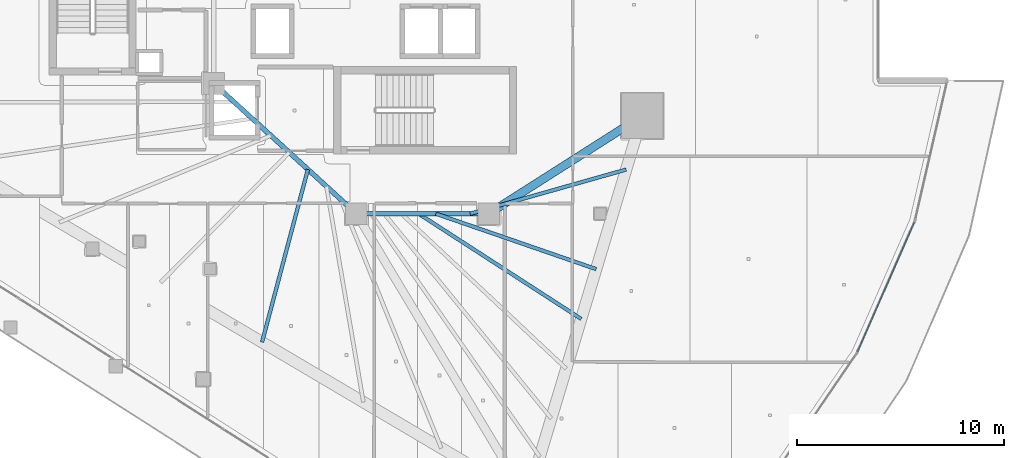
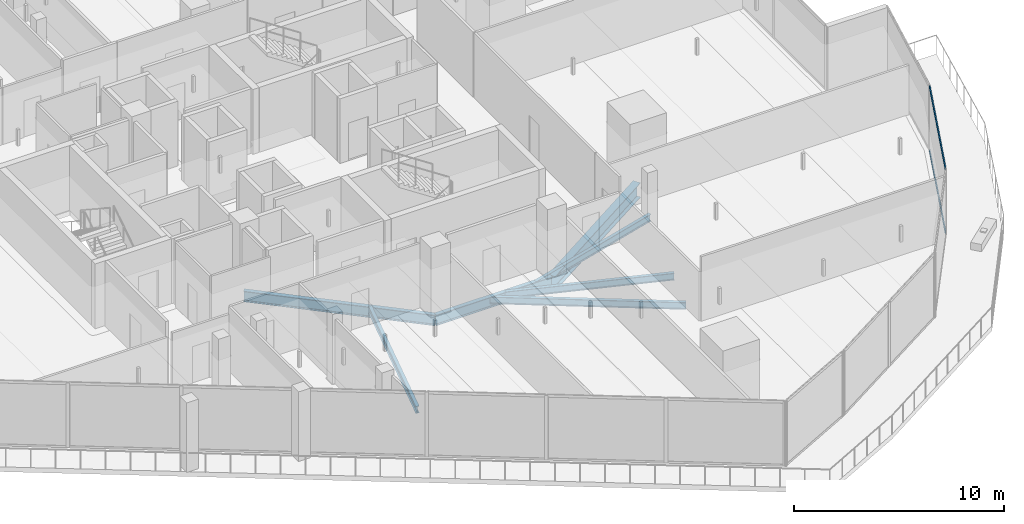
# One storey, part 11 of 44: 7 beams, 2 members, 1 element without a shape of its own.
"""IFC4 building model written with IfcOpenShell, lengths in metres."""

from ifc_helpers import new_model, si_unit, direction, frame, origin, origin_2d, place, context, subcontext, project, spatial, hollow_rectangle, i_section, extrude, material, layer, layer_set, material_profile, profile_set, type_object, element, aggregate, save


model = new_model("IFC4")

# Units and contexts
model_context = context("Model", 3, precision=1e-05, world=origin(), true_north=direction((0.0, 1.0)))
body_context = subcontext(model_context, "Body", "Model", "MODEL_VIEW")
ifc_project = project(units=[si_unit("LENGTHUNIT", "METRE"), si_unit("AREAUNIT", "SQUARE_METRE"), si_unit("VOLUMEUNIT", "CUBIC_METRE"), si_unit("PLANEANGLEUNIT", "RADIAN"), si_unit("MASSUNIT", "GRAM", prefix="KILO")], contexts=[model_context])

# Site, building, storey
site_placement = place(None, origin())
site = spatial("IfcSite", under=ifc_project, at=site_placement, CompositionType="ELEMENT")
building_placement = place(site_placement, origin())
building = spatial("IfcBuilding", under=site, at=building_placement, Name="Qorvath Tower", CompositionType="ELEMENT")
storey_placement = place(building_placement, frame((0.0, 0.0, 113.85009765625)))
storey = spatial("IfcBuildingStorey", under=building, at=storey_placement, Name="L25", CompositionType="ELEMENT", Elevation=113.85009765625)

# Beams
ifc_material_1 = material(Name="Steel ASTM A992 Grade 50", Category="steel")
ifc_material_profile_1 = material_profile(ifc_material_1, i_section(OverallWidth=0.39892578125, OverallDepth=0.85498046875, WebThickness=0.018310546875, FlangeThickness=0.029296875, FilletRadius=0.02001953125, at=origin_2d()), Name="W33x201")
ifc_profile_set_1 = profile_set([ifc_material_profile_1], Name="Steel ASTM A992 Grade 50")
beam_type_1 = type_object("IfcBeamType", Name="BM-FG2", PredefinedType="BEAM", material=ifc_profile_set_1)
beam_1_placement = place(storey_placement, frame((-17.199951171875, -11.449951171875, -0.70751953125), z_axis=(0.843634090834, 0.536918542037, 0.0), x_axis=(-0.536918542037, 0.843634090834, 0.0)))
element("IfcBeam", 1, at=beam_1_placement, inside=storey, type_object=beam_type_1, Name="Radial Floor Girder CC3-MC4 L25", PredefinedType="BEAM", context=body_context, shape_type="SweptSolid", body=[
    extrude(i_section(OverallWidth=0.39892578125, OverallDepth=0.85498046875, WebThickness=0.018310546875, FlangeThickness=0.029296875, FilletRadius=0.02001953125, at=origin_2d()), origin(), (0.0, 0.0, 1.0), 8.806884765625),
])
ifc_material_2 = material(Name="Steel ASTM A992 Grade 50", Category="steel")
ifc_material_profile_2 = material_profile(ifc_material_2, i_section(OverallWidth=0.22998046875, OverallDepth=0.616943359375, WebThickness=0.01318359375, FlangeThickness=0.022216796875, FilletRadius=0.014892578125, at=origin_2d()), Name="W24x94")
ifc_profile_set_2 = profile_set([ifc_material_profile_2], Name="Steel ASTM A992 Grade 50")
beam_type_2 = type_object("IfcBeamType", Name="BM-FG6", PredefinedType="BEAM", material=ifc_profile_set_2)
beam_2_placement = place(storey_placement, frame((-17.199951171875, -11.449951171875, -0.58837890625), z_axis=(-1.0, 0.0, 0.0), x_axis=(0.0, -1.0, 0.0)))
element("IfcBeam", 2, at=beam_2_placement, inside=storey, type_object=beam_type_2, Name="Core Ring Girder CC3-CC4 L25", PredefinedType="BEAM", context=body_context, shape_type="SweptSolid", body=[
    extrude(i_section(OverallWidth=0.22998046875, OverallDepth=0.616943359375, WebThickness=0.01318359375, FlangeThickness=0.022216796875, FilletRadius=0.014892578125, at=origin_2d()), origin(), (0.0, 0.0, 1.0), 6.400146484375),
])
beam_3_placement = place(storey_placement, frame((-23.60009765625, -11.449951171875, -0.58837890625), z_axis=(-0.73847813985, 0.6742774184, 0.0), x_axis=(-0.6742774184, -0.73847813985, 0.0)))
element("IfcBeam", 3, at=beam_3_placement, inside=storey, type_object=beam_type_2, Name="Core Ring Girder CC4-CC6 L25", PredefinedType="BEAM", context=body_context, shape_type="SweptSolid", body=[
    extrude(i_section(OverallWidth=0.22998046875, OverallDepth=0.616943359375, WebThickness=0.01318359375, FlangeThickness=0.022216796875, FilletRadius=0.014892578125, at=origin_2d()), origin(), (0.0, 0.0, 1.0), 9.343505859375),
])
ifc_material_3 = material(Name="Steel ASTM A992 Grade 50", Category="steel")
ifc_material_profile_3 = material_profile(ifc_material_3, i_section(OverallWidth=0.177978515625, OverallDepth=0.406005859375, WebThickness=0.0078125, FlangeThickness=0.0126953125, FilletRadius=0.010986328125, at=origin_2d()), Name="W16x40")
ifc_profile_set_3 = profile_set([ifc_material_profile_3], Name="Steel ASTM A992 Grade 50")
beam_type_3 = type_object("IfcBeamType", Name="BM-FJ3", PredefinedType="JOIST", material=ifc_profile_set_3)
beam_4_placement = place(storey_placement, frame((-18.095947265625, -11.449951171875, -0.48291015625), z_axis=(0.962222206221, 0.272265359264, 0.0), x_axis=(-0.272265359264, 0.962222206221, 0.0)))
element("IfcBeam", 4, at=beam_4_placement, inside=storey, type_object=beam_type_3, Name="Composite Floor Joist SE1 L25", PredefinedType="JOIST", context=body_context, shape_type="SweptSolid", body=[
    extrude(i_section(OverallWidth=0.177978515625, OverallDepth=0.406005859375, WebThickness=0.0078125, FlangeThickness=0.0126953125, FilletRadius=0.010986328125, at=origin_2d()), origin(), (0.0, 0.0, 1.0), 7.841552734375),
])
beam_5_placement = place(storey_placement, frame((-19.760009765625, -11.449951171875, -0.48291015625), z_axis=(0.945168345309, -0.326583525342, 0.0), x_axis=(0.326583525342, 0.945168345309, 0.0)))
element("IfcBeam", 5, at=beam_5_placement, inside=storey, type_object=beam_type_3, Name="Composite Floor Joist SE3 L25", PredefinedType="JOIST", context=body_context, shape_type="SweptSolid", body=[
    extrude(i_section(OverallWidth=0.177978515625, OverallDepth=0.406005859375, WebThickness=0.0078125, FlangeThickness=0.0126953125, FilletRadius=0.010986328125, at=origin_2d()), origin(), (0.0, 0.0, 1.0), 8.21044921875),
])
beam_6_placement = place(storey_placement, frame((-20.592041015625, -11.449951171875, -0.48291015625), z_axis=(0.839630966809, -0.543157288062, 0.0), x_axis=(0.543157288062, 0.839630966809, 0.0)))
element("IfcBeam", 6, at=beam_6_placement, inside=storey, type_object=beam_type_3, Name="Composite Floor Joist SE4 L25", PredefinedType="JOIST", context=body_context, shape_type="SweptSolid", body=[
    extrude(i_section(OverallWidth=0.177978515625, OverallDepth=0.406005859375, WebThickness=0.0078125, FlangeThickness=0.0126953125, FilletRadius=0.010986328125, at=origin_2d()), origin(), (0.0, 0.0, 1.0), 9.370361328125),
])
beam_7_placement = place(storey_placement, frame((-25.946044921875, -9.30810546875, -0.48291015625), z_axis=(-0.256507909517, -0.966542131702, 0.0), x_axis=(0.966542131702, -0.256507909517, 0.0)))
element("IfcBeam", 7, at=beam_7_placement, inside=storey, type_object=beam_type_3, Name="Composite Floor Joist SW5 L25", PredefinedType="JOIST", context=body_context, shape_type="SweptSolid", body=[
    extrude(i_section(OverallWidth=0.177978515625, OverallDepth=0.406005859375, WebThickness=0.0078125, FlangeThickness=0.0126953125, FilletRadius=0.010986328125, at=origin_2d()), origin(), (0.0, 0.0, 1.0), 8.64697265625),
])

# Curtain wall, members
ifc_material_4 = material(Name="Anodised aluminium and triple low-E glass", Category="aluminium")
ifc_layer = layer(ifc_material_4, 0.179931640625)
ifc_layer_set = layer_set([ifc_layer], Name="CW-SYS-2")
curtain_wall_type = type_object("IfcCurtainWallType", Name="CW-SYS-2", PredefinedType="NOTDEFINED", material=ifc_layer_set)
curtain_wall_placement = place(storey_placement, origin())
curtain_wall = element("IfcCurtainWall", 8, at=curtain_wall_placement, inside=storey, type_object=curtain_wall_type, Name="Curtain Wall CW-2 CW-T-L25-6.1", PredefinedType="NOTDEFINED")
ifc_material_5 = material(Name="Anodised aluminium 6063-T6", Category="aluminium")
ifc_material_profile_4 = material_profile(ifc_material_5, hollow_rectangle(XDim=0.06494140625, YDim=0.159912109375, WallThickness=0.00341796875, InnerFilletRadius=0.00341796875, OuterFilletRadius=0.007080078125, at=origin_2d()), Name="CWT 160x65")
ifc_profile_set_4 = profile_set([ifc_material_profile_4], Name="Anodised aluminium 6063-T6")
member_type = type_object("IfcMemberType", Name="CWT-160", PredefinedType="USERDEFINED", material=ifc_profile_set_4)
member_1_placement = place(storey_placement, frame((0.6484375, -18.121337890625, 0.032470703125), z_axis=(0.401584791329, 0.915821846962, 0.0), x_axis=(-0.915821846962, 0.401584791329, 0.0)))
member_1 = element("IfcMember", 9, at=member_1_placement, type_object=member_type, Name="CW-2 transom 1.1", ObjectType="TRANSOM", PredefinedType="USERDEFINED", context=body_context, shape_type="SweptSolid", body=[
    extrude(hollow_rectangle(XDim=0.06494140625, YDim=0.159912109375, WallThickness=0.00341796875, InnerFilletRadius=0.00341796875, OuterFilletRadius=0.007080078125, at=origin_2d()), origin(), (0.0, 0.0, 1.0), 6.837646484375),
])
member_2_placement = place(storey_placement, frame((0.6484375, -18.121337890625, 3.737548828125), z_axis=(0.401584791329, 0.915821846962, 0.0), x_axis=(-0.915821846962, 0.401584791329, 0.0)))
member_2 = element("IfcMember", 10, at=member_2_placement, type_object=member_type, Name="CW-2 transom 1.2", ObjectType="TRANSOM", PredefinedType="USERDEFINED", context=body_context, shape_type="SweptSolid", body=[
    extrude(hollow_rectangle(XDim=0.06494140625, YDim=0.159912109375, WallThickness=0.00341796875, InnerFilletRadius=0.00341796875, OuterFilletRadius=0.007080078125, at=origin_2d()), origin(), (0.0, 0.0, 1.0), 6.837646484375),
])
aggregate(curtain_wall, [member_1, member_2])

save(model, "model.ifc")
